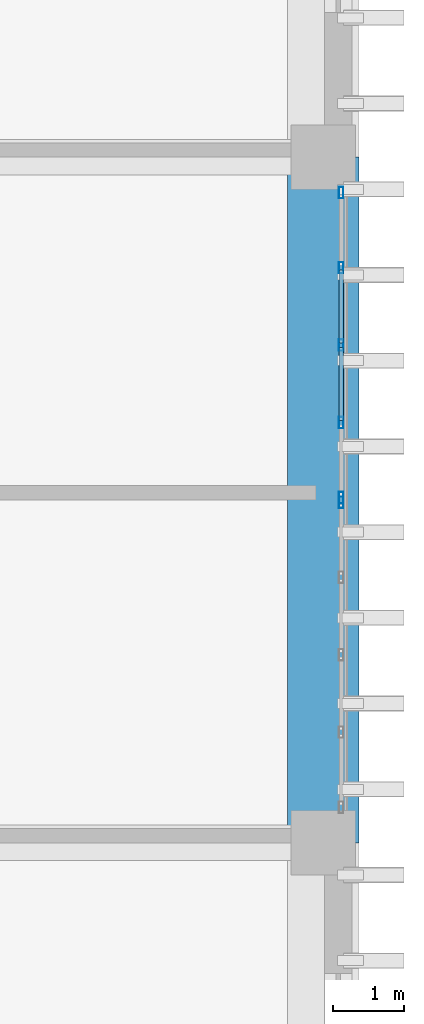
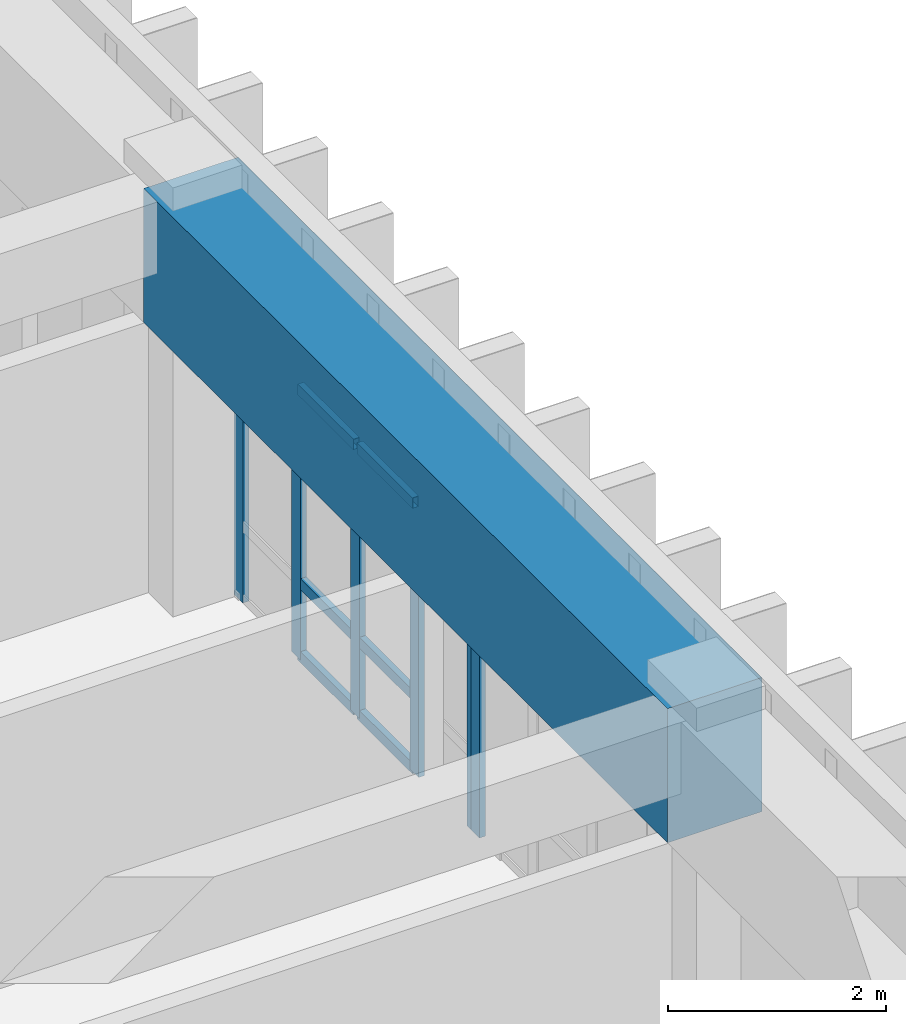
# One storey, part 49 of 101: 12 members, 1 beam, 2 elements without a shape of their own.
"""IFC4 building model written with IfcOpenShell, lengths in metres."""

from ifc_helpers import new_model, si_unit, direction, frame, origin, origin_2d, place, context, subcontext, project, spatial, rectangle, hollow_rectangle, extrude, material, layer, layer_set, material_profile, profile_set, type_object, element, aggregate, save


model = new_model("IFC4")

# Units and contexts
model_context = context("Model", 3, precision=1e-05, world=origin(), true_north=direction((0.0, 1.0)))
body_context = subcontext(model_context, "Body", "Model", "MODEL_VIEW")
ifc_project = project(units=[si_unit("LENGTHUNIT", "METRE"), si_unit("AREAUNIT", "SQUARE_METRE"), si_unit("VOLUMEUNIT", "CUBIC_METRE"), si_unit("PLANEANGLEUNIT", "RADIAN"), si_unit("MASSUNIT", "GRAM", prefix="KILO")], contexts=[model_context])

# Site, building, storey
site_placement = place(None, origin())
site = spatial("IfcSite", under=ifc_project, at=site_placement, CompositionType="ELEMENT")
building_placement = place(site_placement, origin())
building = spatial("IfcBuilding", under=site, at=building_placement, Name="Nakhvara Creek Congress Hotel", CompositionType="ELEMENT")
storey_placement = place(building_placement, frame((0.0, 0.0, 16.199951171875)))
storey = spatial("IfcBuildingStorey", under=building, at=storey_placement, Name="L03", CompositionType="ELEMENT", Elevation=16.199951171875)

# Beam
ifc_material_1 = material(Name="Concrete C50/60", Category="concrete")
ifc_material_profile_1 = material_profile(ifc_material_1, rectangle(XDim=1.0, YDim=1.5, at=origin_2d()), Name="RC-TG 1000x1500", Category="LoadBearing")
ifc_profile_set_1 = profile_set([ifc_material_profile_1], Name="Concrete C50/60")
beam_type = type_object("IfcBeamType", Name="BM-TG2-1500", PredefinedType="BEAM", material=ifc_profile_set_1)
beam_placement = place(storey_placement, frame((179.35009765625, 86.39990234375, 3.7900390625), z_axis=(0.0, 1.0, 0.0), x_axis=(-1.0, 0.0, 0.0)))
element("IfcBeam", 1, at=beam_placement, inside=storey, type_object=beam_type, Name="Transfer Girder TG2-L03-1905", PredefinedType="BEAM", context=body_context, shape_type="SweptSolid", body=[
    extrude(rectangle(XDim=1.0, YDim=1.5, at=origin_2d()), origin(), (0.0, 0.0, 1.0), 9.60009765625),
])

# Curtain wall, member
ifc_material_2 = material(Name="Bronze-anodised aluminium AW-6063-T6 and double-silver low-E glass", Category="aluminium")
ifc_layer = layer(ifc_material_2, 0.199951171875)
ifc_layer_set = layer_set([ifc_layer], Name="Bronze-anodised aluminium AW-6063-T6 and double-silver low-E glass")
curtain_wall_type = type_object("IfcCurtainWallType", Name="CW-HTL-UNIT", PredefinedType="USERDEFINED", material=ifc_layer_set)
curtain_wall_1_placement = place(storey_placement, origin())
curtain_wall_1 = element("IfcCurtainWall", 2, at=curtain_wall_1_placement, inside=storey, type_object=curtain_wall_type, Name="Curtain Wall CW162", ObjectType="UNITISED", PredefinedType="USERDEFINED")
ifc_material_3 = material(Name="Bronze-anodised aluminium AW-6063-T6", Category="aluminium")
ifc_material_profile_2 = material_profile(ifc_material_3, hollow_rectangle(XDim=0.06494140625, YDim=0.159912109375, WallThickness=0.00390625, at=origin_2d()), Name="ALU-MULL 65x160x4", Category="LoadBearing")
ifc_profile_set_2 = profile_set([ifc_material_profile_2], Name="Bronze-anodised aluminium AW-6063-T6")
member_type_1 = type_object("IfcMemberType", Name="CW-MULL-160", PredefinedType="MULLION", material=ifc_profile_set_2)
member_1_placement = place(storey_placement, frame((179.60009765625, 91.16748046875, 0.0), z_axis=(0.0, 0.0, 1.0), x_axis=(1.0, 0.0, 0.0)))
member_1 = element("IfcMember", 3, at=member_1_placement, type_object=member_type_1, Name="CW162 mullion 1", PredefinedType="MULLION", context=body_context, shape_type="SweptSolid", body=[
    extrude(hollow_rectangle(XDim=0.06494140625, YDim=0.159912109375, WallThickness=0.00390625, at=origin_2d()), origin(), (0.0, 0.0, 1.0), 3.031982421875),
])
aggregate(curtain_wall_1, [member_1])

# Curtain wall, members
curtain_wall_2_placement = place(storey_placement, origin())
curtain_wall_2 = element("IfcCurtainWall", 4, at=curtain_wall_2_placement, inside=storey, type_object=curtain_wall_type, Name="Curtain Wall CW163", ObjectType="UNITISED", PredefinedType="USERDEFINED")
member_2_placement = place(storey_placement, frame((179.60009765625, 95.50244140625, 0.0), z_axis=(0.0, 0.0, 1.0), x_axis=(1.0, 0.0, 0.0)))
member_2 = element("IfcMember", 5, at=member_2_placement, type_object=member_type_1, Name="CW163 mullion 1", PredefinedType="MULLION", context=body_context, shape_type="SweptSolid", body=[
    extrude(hollow_rectangle(XDim=0.06494140625, YDim=0.159912109375, WallThickness=0.00390625, at=origin_2d()), origin(), (0.0, 0.0, 1.0), 3.031982421875),
])
member_3_placement = place(storey_placement, frame((179.60009765625, 94.451171875, 0.0), z_axis=(0.0, 0.0, 1.0), x_axis=(1.0, 0.0, 0.0)))
member_3 = element("IfcMember", 6, at=member_3_placement, type_object=member_type_1, Name="CW163 mullion 2", PredefinedType="MULLION", context=body_context, shape_type="SweptSolid", body=[
    extrude(hollow_rectangle(XDim=0.06494140625, YDim=0.159912109375, WallThickness=0.00390625, at=origin_2d()), origin(), (0.0, 0.0, 1.0), 3.031982421875),
])
member_4_placement = place(storey_placement, frame((179.60009765625, 93.367431640625, 0.0), z_axis=(0.0, 0.0, 1.0), x_axis=(1.0, 0.0, 0.0)))
member_4 = element("IfcMember", 7, at=member_4_placement, type_object=member_type_1, Name="CW163 mullion 3", PredefinedType="MULLION", context=body_context, shape_type="SweptSolid", body=[
    extrude(hollow_rectangle(XDim=0.06494140625, YDim=0.159912109375, WallThickness=0.00390625, at=origin_2d()), origin(), (0.0, 0.0, 1.0), 3.031982421875),
])
member_5_placement = place(storey_placement, frame((179.60009765625, 92.28369140625, 0.0), z_axis=(0.0, 0.0, 1.0), x_axis=(1.0, 0.0, 0.0)))
member_5 = element("IfcMember", 8, at=member_5_placement, type_object=member_type_1, Name="CW163 mullion 4", PredefinedType="MULLION", context=body_context, shape_type="SweptSolid", body=[
    extrude(hollow_rectangle(XDim=0.06494140625, YDim=0.159912109375, WallThickness=0.00390625, at=origin_2d()), origin(), (0.0, 0.0, 1.0), 3.031982421875),
])
member_6_placement = place(storey_placement, frame((179.60009765625, 91.232421875, 0.0), z_axis=(0.0, 0.0, 1.0), x_axis=(1.0, 0.0, 0.0)))
member_6 = element("IfcMember", 9, at=member_6_placement, type_object=member_type_1, Name="CW163 mullion 5", PredefinedType="MULLION", context=body_context, shape_type="SweptSolid", body=[
    extrude(hollow_rectangle(XDim=0.06494140625, YDim=0.159912109375, WallThickness=0.00390625, at=origin_2d()), origin(), (0.0, 0.0, 1.0), 3.031982421875),
])
ifc_material_profile_3 = material_profile(ifc_material_3, hollow_rectangle(XDim=0.06494140625, YDim=0.1201171875, WallThickness=0.00390625, at=origin_2d()), Name="ALU-TRAN 65x120x4", Category="LoadBearing")
ifc_profile_set_3 = profile_set([ifc_material_profile_3], Name="Bronze-anodised aluminium AW-6063-T6")
member_type_2 = type_object("IfcMemberType", Name="CW-TRAN-120", PredefinedType="USERDEFINED", material=ifc_profile_set_3)
member_7_placement = place(storey_placement, frame((179.60009765625, 94.418701171875, 0.032470703125), z_axis=(0.0, -1.0, 0.0), x_axis=(1.0, 0.0, 0.0)))
member_7 = element("IfcMember", 10, at=member_7_placement, type_object=member_type_2, Name="CW163 transom 2.1", ObjectType="TRANSOM", PredefinedType="USERDEFINED", context=body_context, shape_type="SweptSolid", body=[
    extrude(hollow_rectangle(XDim=0.06494140625, YDim=0.1201171875, WallThickness=0.00390625, at=origin_2d()), origin(), (0.0, 0.0, 1.0), 1.018798828125),
])
member_8_placement = place(storey_placement, frame((179.60009765625, 94.418701171875, 0.85009765625), z_axis=(0.0, -1.0, 0.0), x_axis=(1.0, 0.0, 0.0)))
member_8 = element("IfcMember", 11, at=member_8_placement, type_object=member_type_2, Name="CW163 transom 2.2", ObjectType="TRANSOM", PredefinedType="USERDEFINED", context=body_context, shape_type="SweptSolid", body=[
    extrude(hollow_rectangle(XDim=0.06494140625, YDim=0.1201171875, WallThickness=0.00390625, at=origin_2d()), origin(), (0.0, 0.0, 1.0), 1.018798828125),
])
member_9_placement = place(storey_placement, frame((179.60009765625, 94.418701171875, 2.99951171875), z_axis=(0.0, -1.0, 0.0), x_axis=(1.0, 0.0, 0.0)))
member_9 = element("IfcMember", 12, at=member_9_placement, type_object=member_type_2, Name="CW163 transom 2.3", ObjectType="TRANSOM", PredefinedType="USERDEFINED", context=body_context, shape_type="SweptSolid", body=[
    extrude(hollow_rectangle(XDim=0.06494140625, YDim=0.1201171875, WallThickness=0.00390625, at=origin_2d()), origin(), (0.0, 0.0, 1.0), 1.018798828125),
])
member_10_placement = place(storey_placement, frame((179.60009765625, 93.3349609375, 0.032470703125), z_axis=(0.0, -1.0, 0.0), x_axis=(1.0, 0.0, 0.0)))
member_10 = element("IfcMember", 13, at=member_10_placement, type_object=member_type_2, Name="CW163 transom 3.1", ObjectType="TRANSOM", PredefinedType="USERDEFINED", context=body_context, shape_type="SweptSolid", body=[
    extrude(hollow_rectangle(XDim=0.06494140625, YDim=0.1201171875, WallThickness=0.00390625, at=origin_2d()), origin(), (0.0, 0.0, 1.0), 1.018798828125),
])
member_11_placement = place(storey_placement, frame((179.60009765625, 93.3349609375, 0.85009765625), z_axis=(0.0, -1.0, 0.0), x_axis=(1.0, 0.0, 0.0)))
member_11 = element("IfcMember", 14, at=member_11_placement, type_object=member_type_2, Name="CW163 transom 3.2", ObjectType="TRANSOM", PredefinedType="USERDEFINED", context=body_context, shape_type="SweptSolid", body=[
    extrude(hollow_rectangle(XDim=0.06494140625, YDim=0.1201171875, WallThickness=0.00390625, at=origin_2d()), origin(), (0.0, 0.0, 1.0), 1.018798828125),
])
member_12_placement = place(storey_placement, frame((179.60009765625, 93.3349609375, 2.99951171875), z_axis=(0.0, -1.0, 0.0), x_axis=(1.0, 0.0, 0.0)))
member_12 = element("IfcMember", 15, at=member_12_placement, type_object=member_type_2, Name="CW163 transom 3.3", ObjectType="TRANSOM", PredefinedType="USERDEFINED", context=body_context, shape_type="SweptSolid", body=[
    extrude(hollow_rectangle(XDim=0.06494140625, YDim=0.1201171875, WallThickness=0.00390625, at=origin_2d()), origin(), (0.0, 0.0, 1.0), 1.018798828125),
])
aggregate(curtain_wall_2, [member_2, member_3, member_4, member_5, member_6, member_7, member_8, member_9, member_10, member_11, member_12])

save(model, "model.ifc")
